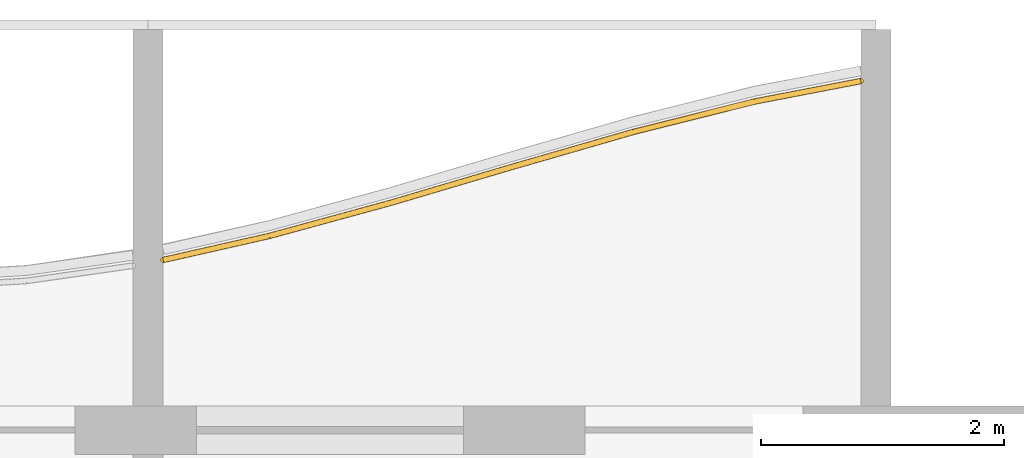
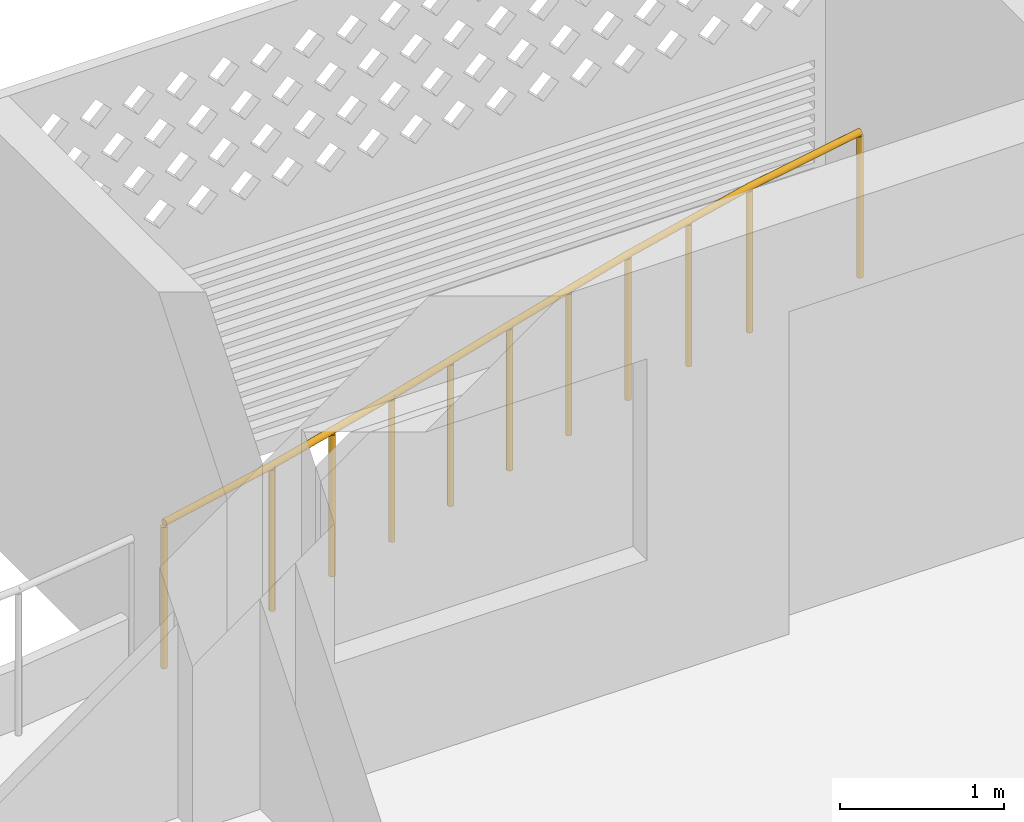
# One storey, part 25 of 26: 1 railing.
"""IFC4 building model written with IfcOpenShell, lengths in metres."""

from ifc_helpers import new_model, si_unit, direction, frame, origin, origin_2d, place, context, subcontext, project, spatial, circle, extrude, material, type_object, element, save


model = new_model("IFC4")

# Units and contexts
model_context = context("Model", 3, precision=1e-05, world=origin(), true_north=direction((0.0, 1.0)))
body_context = subcontext(model_context, "Body", "Model", "MODEL_VIEW")
ifc_project = project(units=[si_unit("LENGTHUNIT", "METRE"), si_unit("AREAUNIT", "SQUARE_METRE"), si_unit("VOLUMEUNIT", "CUBIC_METRE"), si_unit("PLANEANGLEUNIT", "RADIAN"), si_unit("MASSUNIT", "GRAM", prefix="KILO")], contexts=[model_context])

# Site, building, storey
site_placement = place(None, origin())
site = spatial("IfcSite", under=ifc_project, at=site_placement, CompositionType="ELEMENT")
building_placement = place(site_placement, origin())
building = spatial("IfcBuilding", under=site, at=building_placement, Name="Poui Terraces", CompositionType="ELEMENT")
storey_placement = place(building_placement, frame((0.0, 0.0, 241.199951171875)))
storey = spatial("IfcBuildingStorey", under=building, at=storey_placement, Name="L67", CompositionType="ELEMENT", Elevation=241.199951171875)

# Railing
ifc_material = material(Name="Painted steel fretwork", Category="steel")
railing_type = type_object("IfcRailingType", Name="BALCONY GUARD 1100", PredefinedType="GUARDRAIL", material=ifc_material)
railing_placement = place(storey_placement, frame((72.125, 42.6025390625, 0.0)))
element("IfcRailing", 1, at=railing_placement, inside=storey, type_object=railing_type, Name="BALCONY GUARD", PredefinedType="GUARDRAIL", context=body_context, shape_type="SweptSolid", body=[
    extrude(circle(Radius=0.02392578125, at=origin_2d()), frame((0.0, 0.0, 1.076171875), z_axis=(0.975340938218, 0.220703543777, 0.0), x_axis=(-0.220703543777, 0.975340938218, 0.0)), (0.0, 0.0, 1.0), 0.897216796875),
    extrude(circle(Radius=0.02392578125, at=origin_2d()), frame((0.875, 0.197998046875, 1.076171875), z_axis=(0.964709448785, 0.263316690367, 0.0), x_axis=(-0.263316690367, 0.964709448785, 0.0)), (0.0, 0.0, 1.0), 1.03662109375),
    extrude(circle(Radius=0.02392578125, at=origin_2d()), frame((1.875, 0.470947265625, 1.076171875), z_axis=(0.958901964879, 0.283737593123, 0.0), x_axis=(-0.283737593123, 0.958901964879, 0.0)), (0.0, 0.0, 1.0), 1.04296875),
    extrude(circle(Radius=0.02392578125, at=origin_2d()), frame((2.875, 0.766845703125, 1.076171875), z_axis=(0.960857222001, 0.277044037887, 0.0), x_axis=(-0.277044037887, 0.960857222001, 0.0)), (0.0, 0.0, 1.0), 1.040771484375),
    extrude(circle(Radius=0.02392578125, at=origin_2d()), frame((3.875, 1.05517578125, 1.076171875), z_axis=(0.969975109493, 0.243204208362, 0.0), x_axis=(-0.243204208362, 0.969975109493, 0.0)), (0.0, 0.0, 1.0), 1.031005859375),
    extrude(circle(Radius=0.02392578125, at=origin_2d()), frame((4.875, 1.305908203125, 1.076171875), z_axis=(0.981967340867, 0.189050632031, 0.0), x_axis=(-0.189050632031, 0.981967340867, 0.0)), (0.0, 0.0, 1.0), 0.89111328125),
    extrude(circle(Radius=0.02099609375, at=origin_2d()), origin(), (0.0, 0.0, 1.0), 1.052001953125),
    extrude(circle(Radius=0.02099609375, at=origin_2d()), frame((0.875, 0.197998046875, 0.0)), (0.0, 0.0, 1.0), 1.052001953125),
    extrude(circle(Radius=0.02099609375, at=origin_2d()), frame((1.375, 0.33447265625, 0.0)), (0.0, 0.0, 1.0), 1.052001953125),
    extrude(circle(Radius=0.02099609375, at=origin_2d()), frame((1.875, 0.470947265625, 0.0)), (0.0, 0.0, 1.0), 1.052001953125),
    extrude(circle(Radius=0.02099609375, at=origin_2d()), frame((2.375, 0.618896484375, 0.0)), (0.0, 0.0, 1.0), 1.052001953125),
    extrude(circle(Radius=0.02099609375, at=origin_2d()), frame((2.875, 0.766845703125, 0.0)), (0.0, 0.0, 1.0), 1.052001953125),
    extrude(circle(Radius=0.02099609375, at=origin_2d()), frame((3.375, 0.9111328125, 0.0)), (0.0, 0.0, 1.0), 1.052001953125),
    extrude(circle(Radius=0.02099609375, at=origin_2d()), frame((3.875, 1.05517578125, 0.0)), (0.0, 0.0, 1.0), 1.052001953125),
    extrude(circle(Radius=0.02099609375, at=origin_2d()), frame((4.375, 1.1806640625, 0.0)), (0.0, 0.0, 1.0), 1.052001953125),
    extrude(circle(Radius=0.02099609375, at=origin_2d()), frame((4.875, 1.305908203125, 0.0)), (0.0, 0.0, 1.0), 1.052001953125),
    extrude(circle(Radius=0.02099609375, at=origin_2d()), frame((5.75, 1.474365234375, 0.0)), (0.0, 0.0, 1.0), 1.052001953125),
])

save(model, "model.ifc")
